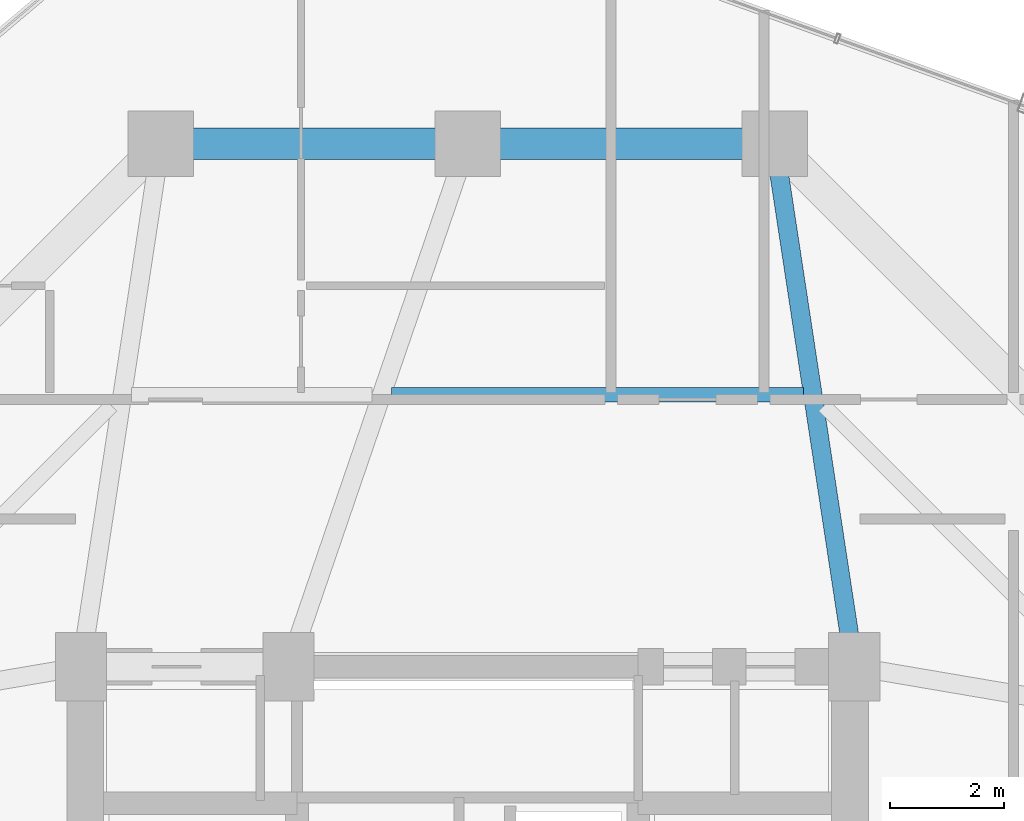
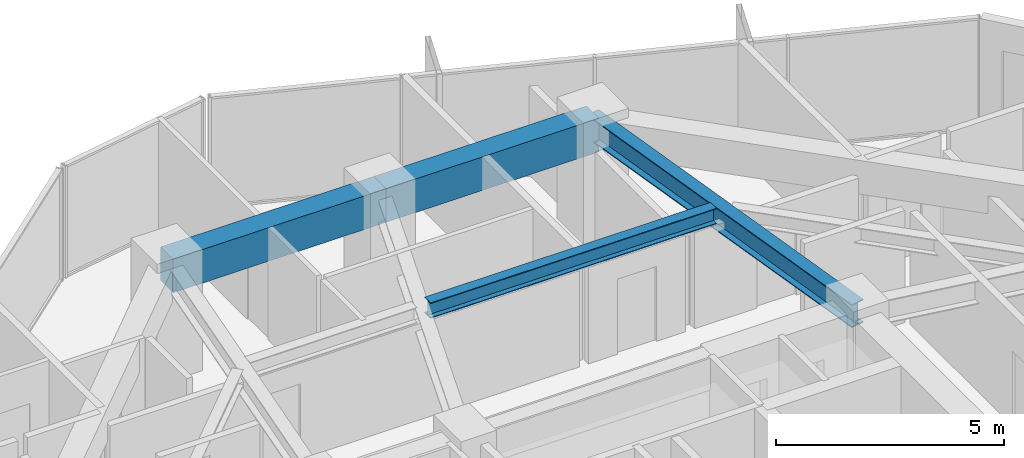
# One storey, part 24 of 36: 4 beams.
"""IFC4 building model written with IfcOpenShell, lengths in metres."""

import ifcopenshell
import ifcopenshell.guid

model = None  # the IFC model being written
_history = None  # IfcOwnerHistory: only IFC2X3 demands one
_inside = {}  # id of a spatial element -> (the spatial element, [elements in it])
_under = {}  # id of a project, library or spatial element -> (it, [spatial elements below it])
_declared = {}  # id of a project -> (the project, [libraries it declares])
_typed = {}  # id of a type object -> (the type object, [elements of that type])
_made_of = {}  # id of a material, layer set ... -> (it, [elements and type objects made of it])


def new_model(schema):
    """Start an empty IFC model of exactly this schema.

    Asked for "IFC4X3", IfcOpenShell would pick the latest addendum, in which some entities
    have other attributes; the version numbers below select the first issue.
    IFC2X3 requires an IfcOwnerHistory on every rooted entity: one is made here for all.
    """
    global model, _history
    if schema == "IFC4X3":
        model = ifcopenshell.file(schema_version=(4, 3, 0, 0))
    else:
        model = ifcopenshell.file(schema=schema)
    _inside.clear()
    _under.clear()
    _declared.clear()
    _typed.clear()
    _made_of.clear()
    _history = None
    if model.schema == "IFC2X3":
        org = make("IfcOrganization", Name="unknown")
        user = make(
            "IfcPersonAndOrganization",
            ThePerson=make("IfcPerson", FamilyName="unknown"),
            TheOrganization=org,
        )
        app = make(
            "IfcApplication",
            ApplicationDeveloper=org,
            Version="unknown",
            ApplicationFullName="unknown",
            ApplicationIdentifier="unknown",
        )
        _history = make(
            "IfcOwnerHistory",
            OwningUser=user,
            OwningApplication=app,
            ChangeAction="ADDED",
            CreationDate=0,
        )
    return model


def make(cls, **values):
    """One entity of the class cls with the attributes given. An attribute that is None is left unset."""
    return model.create_entity(
        cls, **{name: value for name, value in values.items() if value is not None}
    )


def rooted(cls, **values):
    """An entity with a GlobalId (a new one), such as an element, a storey or a relation."""
    return make(cls, GlobalId=ifcopenshell.guid.new(), OwnerHistory=_history, **values)


def si_unit(unit_type, name, prefix=None):
    """IfcSIUnit, for example si_unit("LENGTHUNIT", "METRE", prefix="MILLI")."""
    return make("IfcSIUnit", UnitType=unit_type, Prefix=prefix, Name=name)


def assignment(units):
    """IfcUnitAssignment: the units of a project."""
    return None if units is None else make("IfcUnitAssignment", Units=units)


def point(xyz):
    """IfcCartesianPoint."""
    return None if xyz is None else make("IfcCartesianPoint", Coordinates=xyz)


def direction(xyz):
    """IfcDirection."""
    return None if xyz is None else make("IfcDirection", DirectionRatios=xyz)


def frame(location, z_axis=None, x_axis=None):
    """IfcAxis2Placement3D, a coordinate frame: its origin and axes. An axis left out is left unset."""
    return make(
        "IfcAxis2Placement3D",
        Location=point(location),
        Axis=direction(z_axis),
        RefDirection=direction(x_axis),
    )


def frame_2d(location, x_axis=None):
    """IfcAxis2Placement2D, a coordinate frame in the plane: its origin and x axis."""
    return make(
        "IfcAxis2Placement2D", Location=point(location), RefDirection=direction(x_axis)
    )


def origin():
    """The frame at (0, 0, 0) with its axes left unset."""
    return frame((0.0, 0.0, 0.0))


def origin_2d():
    """The frame at (0, 0) in the plane with its x axis left unset."""
    return frame_2d((0.0, 0.0))


def place(relative_to, where):
    """IfcLocalPlacement: puts the frame where relative to a parent placement (None: the world)."""
    return make(
        "IfcLocalPlacement", PlacementRelTo=relative_to, RelativePlacement=where
    )


def context(
    kind, dimensions, precision=None, world=None, true_north=None, identifier=None
):
    """IfcGeometricRepresentationContext, for example the 3D "Model" context."""
    return make(
        "IfcGeometricRepresentationContext",
        ContextIdentifier=identifier,
        ContextType=kind,
        CoordinateSpaceDimension=dimensions,
        Precision=precision,
        WorldCoordinateSystem=world,
        TrueNorth=true_north,
    )


def subcontext(parent, identifier, kind, view, scale=None):
    """IfcGeometricRepresentationSubContext, for example "Body" below "Model"."""
    return make(
        "IfcGeometricRepresentationSubContext",
        ContextIdentifier=identifier,
        ContextType=kind,
        ParentContext=parent,
        TargetScale=scale,
        TargetView=view,
    )


def project(units=None, contexts=None):
    """IfcProject with its units and contexts."""
    return rooted(
        "IfcProject",
        Name="project",
        RepresentationContexts=contexts,
        UnitsInContext=assignment(units),
    )


def spatial(cls, under=None, at=None, **own):
    """A site, building, storey or space (cls), placed at a placement, below another one or the project."""
    s = rooted(cls, ObjectPlacement=at, **own)
    if under is not None:
        _under.setdefault(under.id(), (under, []))[1].append(s)
    return s


def profile(cls, at=None, kind="AREA", **sizes):
    """A parametric profile (cls). Its sizes go by their IFC names, for example OverallWidth=200.0."""
    return make(cls, ProfileType=kind, Position=at, **sizes)


def rectangle(**sizes):
    """IfcRectangleProfileDef."""
    return profile("IfcRectangleProfileDef", **sizes)


def i_section(**sizes):
    """IfcIShapeProfileDef."""
    return profile("IfcIShapeProfileDef", **sizes)


def extrude(swept, where, along, depth):
    """IfcExtrudedAreaSolid: the profile swept, set in the frame where, extruded along a direction by depth."""
    return make(
        "IfcExtrudedAreaSolid",
        SweptArea=swept,
        Position=where,
        ExtrudedDirection=direction(along),
        Depth=depth,
    )


def shape(context_of_items, identifier, shape_type, items):
    """IfcShapeRepresentation: the items that make up one representation, for example the "Body"."""
    return make(
        "IfcShapeRepresentation",
        ContextOfItems=context_of_items,
        RepresentationIdentifier=identifier,
        RepresentationType=shape_type,
        Items=items,
    )


def material(Name=None, Category=None):
    """IfcMaterial."""
    return make("IfcMaterial", Name=Name, Category=Category)


def material_profile(
    of_material, cross_section, Name=None, Category=None, Priority=None
):
    """IfcMaterialProfile: a cross section and its material."""
    return make(
        "IfcMaterialProfile",
        Name=Name,
        Material=of_material,
        Profile=cross_section,
        Priority=Priority,
        Category=Category,
    )


def profile_set(profiles, Name=None, composite=None):
    """IfcMaterialProfileSet."""
    return make(
        "IfcMaterialProfileSet",
        Name=Name,
        MaterialProfiles=profiles,
        CompositeProfile=composite,
    )


def made_of(thing, what):
    """Note that an element or type object is made of a material, layer set ...; save() writes the relation."""
    if what is not None:
        _made_of.setdefault(what.id(), (what, []))[1].append(thing)
    return thing


def type_object(cls, material=None, **own):
    """A type object (cls), such as IfcWallType, which elements share."""
    return made_of(rooted(cls, **own), material)


def element(
    cls,
    number,
    at=None,
    inside=None,
    cuts=None,
    type_object=None,
    material=None,
    context=None,
    identifier="Body",
    shape_type=None,
    held_by="IfcProductDefinitionShape",
    body=None,
    shapes=None,
    **own,
):
    """One element of the class cls, such as IfcWall. Its Tag is "e" and its number.

    at: its placement. inside: the storey or other place that contains it. cuts: it is an
    opening in that element (IfcRelVoidsElement). A single representation is given by context,
    identifier, shape_type and body (its items); several are given by shapes. held_by: the class
    of the entity that holds the representations. save() writes the other relations.
    """
    e = rooted(cls, Tag="e%d" % number, ObjectPlacement=at, **own)
    if body is not None:
        shapes = [shape(context, identifier, shape_type, body)]
    if shapes is not None:
        e.Representation = make(held_by, Representations=shapes)
    if inside is not None:
        _inside.setdefault(inside.id(), (inside, []))[1].append(e)
    if cuts is not None:
        rooted(
            "IfcRelVoidsElement", RelatingBuildingElement=cuts, RelatedOpeningElement=e
        )
    if type_object is not None:
        _typed.setdefault(type_object.id(), (type_object, []))[1].append(e)
    return made_of(e, material)


def aggregate(whole, parts):
    """IfcRelAggregates: a whole, such as a stair, and the parts it consists of."""
    return rooted("IfcRelAggregates", RelatingObject=whole, RelatedObjects=parts)


def save(model, path):
    """Write the relations noted so far, then the file.

    IfcRelAggregates (storeys below a building ...), IfcRelContainedInSpatialStructure (elements
    in a storey), IfcRelDefinesByType, IfcRelAssociatesMaterial and IfcRelDeclares: one each for
    every whole, place, type object, material and project.
    """
    for whole, parts in _under.values():
        aggregate(whole, parts)
    for where, things in _inside.values():
        rooted(
            "IfcRelContainedInSpatialStructure",
            RelatedElements=things,
            RelatingStructure=where,
        )
    for kind, things in _typed.values():
        rooted("IfcRelDefinesByType", RelatedObjects=things, RelatingType=kind)
    for what, things in _made_of.values():
        rooted("IfcRelAssociatesMaterial", RelatedObjects=things, RelatingMaterial=what)
    for by, libraries in _declared.values():
        rooted("IfcRelDeclares", RelatingContext=by, RelatedDefinitions=libraries)
    model.write(path)


model = new_model("IFC4")

# Units and contexts
model_context = context("Model", 3, precision=1e-05, world=origin(), true_north=direction((0.0, 1.0)))
body_context = subcontext(model_context, "Body", "Model", "MODEL_VIEW")
ifc_project = project(units=[si_unit("LENGTHUNIT", "METRE"), si_unit("AREAUNIT", "SQUARE_METRE"), si_unit("VOLUMEUNIT", "CUBIC_METRE"), si_unit("PLANEANGLEUNIT", "RADIAN"), si_unit("MASSUNIT", "GRAM", prefix="KILO")], contexts=[model_context])

# Site, building, storey
site_placement = place(None, origin())
site = spatial("IfcSite", under=ifc_project, at=site_placement, CompositionType="ELEMENT")
building_placement = place(site_placement, origin())
building = spatial("IfcBuilding", under=site, at=building_placement, Name="Veraguas Prism Commons", CompositionType="ELEMENT")
storey_placement = place(building_placement, frame((0.0, 0.0, 163.050048828125)))
storey = spatial("IfcBuildingStorey", under=building, at=storey_placement, Name="L46", CompositionType="ELEMENT", Elevation=163.050048828125)

# Beams
ifc_material_1 = material(Name="Steel ASTM A992 Grade 50", Category="steel")
ifc_material_profile_1 = material_profile(ifc_material_1, i_section(OverallWidth=0.260986328125, OverallDepth=0.419921875, WebThickness=0.01171875, FlangeThickness=0.019287109375, at=origin_2d()), Name="W410X114")
ifc_profile_set_1 = profile_set([ifc_material_profile_1], Name="Steel ASTM A992 Grade 50")
beam_type_1 = type_object("IfcBeamType", Name="Lower Floor Joist W410x114", PredefinedType="JOIST", material=ifc_profile_set_1)
beam_1_placement = place(storey_placement, frame((29.908203125, 35.783935546875, 2.7900390625), z_axis=(-1.0, 0.0, 0.0), x_axis=(0.0, -1.0, 0.0)))
element("IfcBeam", 1, at=beam_1_placement, inside=storey, type_object=beam_type_1, Name="Composite Floor Joist L46-JS04", PredefinedType="JOIST", context=body_context, shape_type="SweptSolid", body=[
    extrude(i_section(OverallWidth=0.260986328125, OverallDepth=0.419921875, WebThickness=0.01171875, FlangeThickness=0.019287109375, at=origin_2d()), origin(), (0.0, 0.0, 1.0), 7.2490234375),
])
ifc_material_2 = material(Name="Concrete C50/60", Category="concrete")
ifc_material_profile_2 = material_profile(ifc_material_2, rectangle(XDim=0.550048828125, YDim=0.89990234375, at=origin_2d()), Name="RC550X900")
ifc_profile_set_2 = profile_set([ifc_material_profile_2], Name="Concrete C50/60")
beam_type_2 = type_object("IfcBeamType", Name="Perimeter Spandrel Lower RC 550x900", PredefinedType="SPANDREL", material=ifc_profile_set_2)
for number, where, z_axis, x_axis, name in (
    (2, (29.39990234375, 40.199951171875, 2.550048828125), (-1.0, 0.0, 0.0), (0.0, -1.0, 0.0), "Perimeter Spandrel Beam L46-SP04"),
    (3, (24.0, 40.199951171875, 2.550048828125), (-1.0, 0.0, 0.0), (0.0, -1.0, 0.0), "Perimeter Spandrel Beam L46-SP05"),
):
    element("IfcBeam", number, at=place(storey_placement, frame(where, z_axis=z_axis, x_axis=x_axis)), inside=storey, type_object=beam_type_2, Name=name, PredefinedType="SPANDREL", context=body_context, shape_type="SweptSolid", body=[
        extrude(rectangle(XDim=0.550048828125, YDim=0.89990234375, at=origin_2d()), origin(), (0.0, 0.0, 1.0), 5.39990234375),
    ])
ifc_material_profile_3 = material_profile(ifc_material_1, i_section(OverallWidth=0.327880859375, OverallDepth=0.6220703125, WebThickness=0.015380859375, FlangeThickness=0.0244140625, at=origin_2d()), Name="W610X195")
ifc_profile_set_3 = profile_set([ifc_material_profile_3], Name="Steel ASTM A992 Grade 50")
beam_type_3 = type_object("IfcBeamType", Name="Zone 2 Radial Girder W610x195", PredefinedType="BEAM", material=ifc_profile_set_3)
beam_2_placement = place(storey_placement, frame((29.39990234375, 40.199951171875, 2.68896484375), z_axis=(0.150458162136, -0.98861637729, 0.0), x_axis=(0.98861637729, 0.150458162136, 0.0)))
element("IfcBeam", 4, at=beam_2_placement, inside=storey, type_object=beam_type_3, Name="Radial Floor Girder L46-RD04", PredefinedType="BEAM", context=body_context, shape_type="SweptSolid", body=[
    extrude(i_section(OverallWidth=0.327880859375, OverallDepth=0.6220703125, WebThickness=0.015380859375, FlangeThickness=0.0244140625, at=origin_2d()), origin(), (0.0, 0.0, 1.0), 9.305908203125),
])

save(model, "model.ifc")
